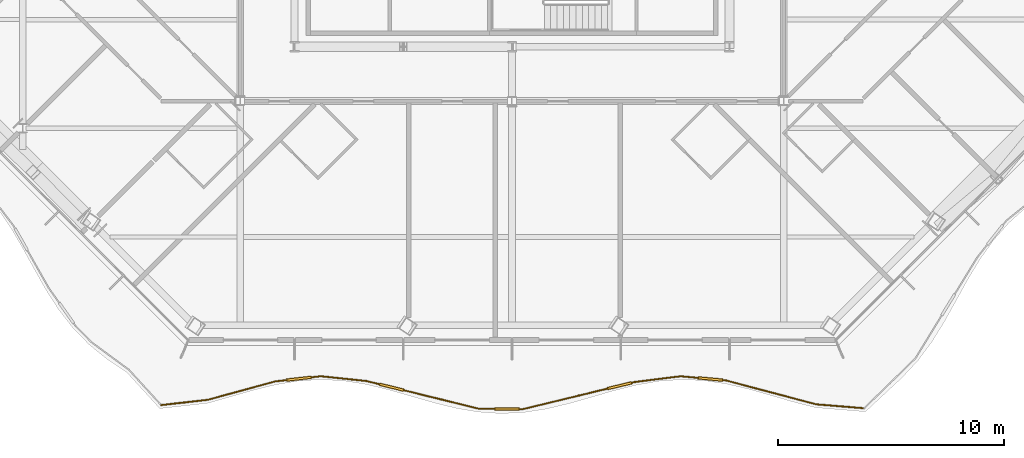
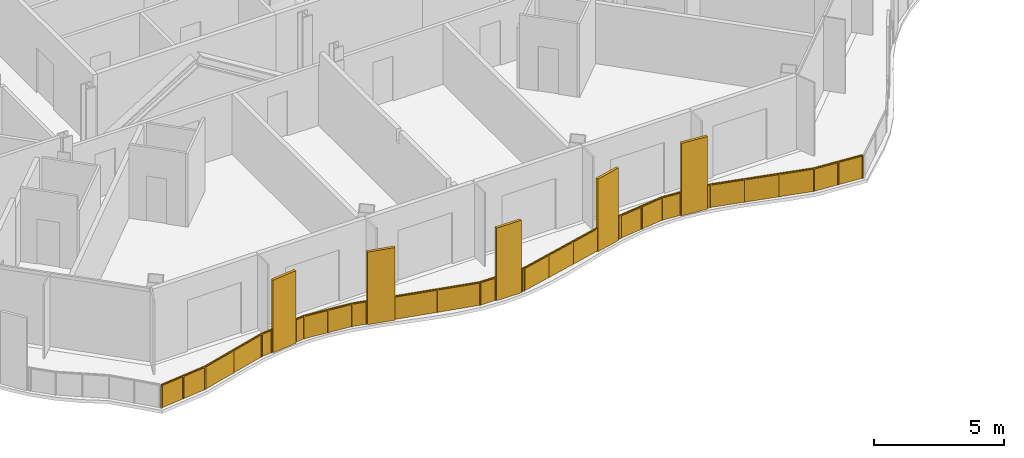
# One storey, part 16 of 21: 1 railing.
"""IFC4 building model written with IfcOpenShell, lengths in metres."""

from ifc_helpers import new_model, si_unit, direction, frame, origin, origin_2d, place, context, subcontext, project, spatial, polyline, rectangle, outline, extrude, material, type_object, element, save


model = new_model("IFC4")

# Units and contexts
model_context = context("Model", 3, precision=1e-05, world=origin(), true_north=direction((0.0, 1.0)))
body_context = subcontext(model_context, "Body", "Model", "MODEL_VIEW")
ifc_project = project(units=[si_unit("LENGTHUNIT", "METRE"), si_unit("AREAUNIT", "SQUARE_METRE"), si_unit("VOLUMEUNIT", "CUBIC_METRE"), si_unit("PLANEANGLEUNIT", "RADIAN"), si_unit("MASSUNIT", "GRAM", prefix="KILO")], contexts=[model_context])

# Site, building, storey
site_placement = place(None, origin())
site = spatial("IfcSite", under=ifc_project, at=site_placement, CompositionType="ELEMENT")
building_placement = place(site_placement, origin())
building = spatial("IfcBuilding", under=site, at=building_placement, Name="Cairn Pilgrim Tower", CompositionType="ELEMENT")
storey_placement = place(building_placement, frame((0.0, 0.0, 172.199951171875)))
storey = spatial("IfcBuildingStorey", under=building, at=storey_placement, Name="L43", CompositionType="ELEMENT", Elevation=172.199951171875)

# Railing
ifc_material = material(Name="Bronze anodised aluminium rail, posts and fin screens with laminated glass infill", Category="aluminium")
railing_type = type_object("IfcRailingType", Name="BALCONY GUARD WITH FIN SCREENS", PredefinedType="GUARDRAIL", material=ifc_material)
railing_placement = place(storey_placement, frame((-8.29248046875, -21.82275390625, 0.0)))
element("IfcRailing", 1, at=railing_placement, inside=storey, type_object=railing_type, Name="Balcony guard BGF-1 with fin screens", PredefinedType="GUARDRAIL", context=body_context, shape_type="SweptSolid", body=[
    extrude(rectangle(XDim=0.050048828125, YDim=0.050048828125, at=origin_2d()), frame((0.0, 0.0, 1.0751953125), z_axis=(0.993718700808, 0.111906852625, 0.0), x_axis=(-0.111906852625, 0.993718700808, 0.0)), (0.0, 0.0, 1.0), 2.0703125),
    extrude(rectangle(XDim=0.050048828125, YDim=0.050048828125, at=origin_2d()), frame((2.057373046875, 0.231689453125, 1.0751953125), z_axis=(0.964685333333, 0.263405025868, 0.0), x_axis=(-0.263405025868, 0.964685333333, 0.0)), (0.0, 0.0, 1.0), 3.08837890625),
    extrude(rectangle(XDim=1.10009765625, YDim=0.110107421875, at=origin_2d()), frame((6.086181640625, 1.1640625, 0.0), z_axis=(0.0, 0.0, 1.0), x_axis=(0.993637462678, 0.112625897394, 0.0)), (0.0, 0.0, 1.0), 3.39990234375),
    extrude(rectangle(XDim=0.050048828125, YDim=0.050048828125, at=origin_2d()), frame((5.03662109375, 1.045166015625, 1.0751953125), z_axis=(0.993637462678, 0.112625897394, 0.0), x_axis=(-0.112625897394, 0.993637462678, 0.0)), (0.0, 0.0, 1.0), 0.50634765625),
    extrude(rectangle(XDim=0.050048828125, YDim=0.050048828125, at=origin_2d()), frame((6.6328125, 1.22607421875, 1.0751953125), z_axis=(0.993637462678, 0.112625897394, 0.0), x_axis=(-0.112625897394, 0.993637462678, 0.0)), (0.0, 0.0, 1.0), 0.42041015625),
    extrude(rectangle(XDim=0.050048828125, YDim=0.050048828125, at=origin_2d()), frame((7.050537109375, 1.2734375, 1.0751953125), z_axis=(0.994552944942, -0.104232623051, 0.0), x_axis=(0.104232623051, 0.994552944942, 0.0)), (0.0, 0.0, 1.0), 2.023681640625),
    extrude(rectangle(XDim=1.10009765625, YDim=0.110107421875, at=origin_2d()), frame((10.178466796875, 0.78759765625, 0.0), z_axis=(0.0, 0.0, 1.0), x_axis=(0.970930323775, -0.239362291046, 0.0)), (0.0, 0.0, 1.0), 3.39990234375),
    extrude(rectangle(XDim=0.050048828125, YDim=0.050048828125, at=origin_2d()), frame((9.063232421875, 1.0625, 1.0751953125), z_axis=(0.970930323775, -0.239362291046, 0.0), x_axis=(0.239362291046, 0.970930323775, 0.0)), (0.0, 0.0, 1.0), 0.5986328125),
    extrude(rectangle(XDim=0.050048828125, YDim=0.050048828125, at=origin_2d()), frame((10.71240234375, 0.656005859375, 1.0751953125), z_axis=(0.970930323775, -0.239362291046, 0.0), x_axis=(0.239362291046, 0.970930323775, 0.0)), (0.0, 0.0, 1.0), 3.408447265625),
    extrude(rectangle(XDim=1.10009765625, YDim=0.110107421875, at=origin_2d()), frame((15.27197265625, -0.173583984375, 0.0), z_axis=(0.0, 0.0, 1.0), x_axis=(0.999940694665, -0.010890691091, 0.0)), (0.0, 0.0, 1.0), 3.39990234375),
    extrude(rectangle(XDim=0.050048828125, YDim=0.050048828125, at=origin_2d()), frame((14.021728515625, -0.159912109375, 1.0751953125), z_axis=(0.999940694665, -0.010890691091, 0.0), x_axis=(0.010890691091, 0.999940694665, 0.0)), (0.0, 0.0, 1.0), 0.7001953125),
    extrude(rectangle(XDim=0.050048828125, YDim=0.050048828125, at=origin_2d()), frame((15.82177734375, -0.179443359375, 1.0751953125), z_axis=(0.999940694665, -0.010890691091, 0.0), x_axis=(0.010890691091, 0.999940694665, 0.0)), (0.0, 0.0, 1.0), 0.150146484375),
    extrude(rectangle(XDim=1.10009765625, YDim=0.110107421875, at=origin_2d()), frame((20.2470703125, 0.8564453125, 0.0), z_axis=(0.0, 0.0, 1.0), x_axis=(0.971792276138, 0.235838444785, 0.0)), (0.0, 0.0, 1.0), 3.39990234375),
    extrude(rectangle(XDim=0.050048828125, YDim=0.050048828125, at=origin_2d()), frame((15.971923828125, -0.18115234375, 1.0751953125), z_axis=(0.971792276138, 0.235838444785, 0.0), x_axis=(-0.235838444785, 0.971792276138, 0.0)), (0.0, 0.0, 1.0), 3.849365234375),
    extrude(rectangle(XDim=0.050048828125, YDim=0.050048828125, at=origin_2d()), frame((20.78173828125, 0.986083984375, 1.0751953125), z_axis=(0.971792276138, 0.235838444785, 0.0), x_axis=(-0.235838444785, 0.971792276138, 0.0)), (0.0, 0.0, 1.0), 0.150146484375),
    extrude(rectangle(XDim=0.050048828125, YDim=0.050048828125, at=origin_2d()), frame((20.927490234375, 1.021484375, 1.0751953125), z_axis=(0.992316749148, 0.123723358186, 0.0), x_axis=(-0.123723358186, 0.992316749148, 0.0)), (0.0, 0.0, 1.0), 2.026611328125),
    extrude(rectangle(XDim=1.10009765625, YDim=0.110107421875, at=origin_2d()), frame((24.25634765625, 1.149658203125, 0.0), z_axis=(0.0, 0.0, 1.0), x_axis=(0.995698110314, -0.092656748906, 0.0)), (0.0, 0.0, 1.0), 3.39990234375),
    extrude(rectangle(XDim=0.050048828125, YDim=0.050048828125, at=origin_2d()), frame((22.9384765625, 1.272216796875, 1.0751953125), z_axis=(0.995698110314, -0.092656748906, 0.0), x_axis=(0.092656748906, 0.995698110314, 0.0)), (0.0, 0.0, 1.0), 0.7734375),
    extrude(rectangle(XDim=0.050048828125, YDim=0.050048828125, at=origin_2d()), frame((24.803955078125, 1.0986328125, 1.0751953125), z_axis=(0.995698110314, -0.092656748906, 0.0), x_axis=(0.092656748906, 0.995698110314, 0.0)), (0.0, 0.0, 1.0), 0.150146484375),
    extrude(rectangle(XDim=0.050048828125, YDim=0.050048828125, at=origin_2d()), frame((24.953369140625, 1.084716796875, 1.0751953125), z_axis=(0.966645970379, -0.256116317227, 0.0), x_axis=(0.256116317227, 0.966645970379, 0.0)), (0.0, 0.0, 1.0), 4.1083984375),
    extrude(rectangle(XDim=0.050048828125, YDim=0.050048828125, at=origin_2d()), frame((28.9248046875, 0.032470703125, 1.0751953125), z_axis=(0.996694769483, -0.081237531265, 0.0), x_axis=(0.081237531265, 0.996694769483, 0.0)), (0.0, 0.0, 1.0), 2.067626953125),
    extrude(rectangle(XDim=0.050048828125, YDim=0.050048828125, at=origin_2d()), origin(), (0.0, 0.0, 1.0), 1.050048828125),
    extrude(rectangle(XDim=0.050048828125, YDim=0.050048828125, at=origin_2d()), frame((1.02880859375, 0.11572265625, 0.0)), (0.0, 0.0, 1.0), 1.050048828125),
    extrude(rectangle(XDim=0.050048828125, YDim=0.050048828125, at=origin_2d()), frame((2.057373046875, 0.231689453125, 0.0)), (0.0, 0.0, 1.0), 1.050048828125),
    extrude(rectangle(XDim=0.050048828125, YDim=0.050048828125, at=origin_2d()), frame((3.546875, 0.638427734375, 0.0)), (0.0, 0.0, 1.0), 1.050048828125),
    extrude(rectangle(XDim=0.050048828125, YDim=0.050048828125, at=origin_2d()), frame((5.03662109375, 1.045166015625, 0.0)), (0.0, 0.0, 1.0), 1.050048828125),
    extrude(rectangle(XDim=0.050048828125, YDim=0.050048828125, at=origin_2d()), frame((5.514892578125, 1.099365234375, 0.0)), (0.0, 0.0, 1.0), 1.050048828125),
    extrude(rectangle(XDim=0.050048828125, YDim=0.050048828125, at=origin_2d()), frame((6.657470703125, 1.22900390625, 0.0)), (0.0, 0.0, 1.0), 1.050048828125),
    extrude(rectangle(XDim=0.050048828125, YDim=0.050048828125, at=origin_2d()), frame((7.050537109375, 1.2734375, 0.0)), (0.0, 0.0, 1.0), 1.050048828125),
    extrude(rectangle(XDim=0.050048828125, YDim=0.050048828125, at=origin_2d()), frame((8.056884765625, 1.16796875, 0.0)), (0.0, 0.0, 1.0), 1.050048828125),
    extrude(rectangle(XDim=0.050048828125, YDim=0.050048828125, at=origin_2d()), frame((9.063232421875, 1.0625, 0.0)), (0.0, 0.0, 1.0), 1.050048828125),
    extrude(rectangle(XDim=0.050048828125, YDim=0.050048828125, at=origin_2d()), frame((9.6201171875, 0.92529296875, 0.0)), (0.0, 0.0, 1.0), 1.050048828125),
    extrude(rectangle(XDim=0.050048828125, YDim=0.050048828125, at=origin_2d()), frame((10.73681640625, 0.64990234375, 0.0)), (0.0, 0.0, 1.0), 1.050048828125),
    extrude(rectangle(XDim=0.050048828125, YDim=0.050048828125, at=origin_2d()), frame((12.379150390625, 0.2451171875, 0.0)), (0.0, 0.0, 1.0), 1.050048828125),
    extrude(rectangle(XDim=0.050048828125, YDim=0.050048828125, at=origin_2d()), frame((14.021728515625, -0.159912109375, 0.0)), (0.0, 0.0, 1.0), 1.050048828125),
    extrude(rectangle(XDim=0.050048828125, YDim=0.050048828125, at=origin_2d()), frame((14.69677734375, -0.167236328125, 0.0)), (0.0, 0.0, 1.0), 1.050048828125),
    extrude(rectangle(XDim=0.050048828125, YDim=0.050048828125, at=origin_2d()), frame((15.846923828125, -0.1796875, 0.0)), (0.0, 0.0, 1.0), 1.050048828125),
    extrude(rectangle(XDim=0.050048828125, YDim=0.050048828125, at=origin_2d()), frame((15.971923828125, -0.18115234375, 0.0)), (0.0, 0.0, 1.0), 1.050048828125),
    extrude(rectangle(XDim=0.050048828125, YDim=0.050048828125, at=origin_2d()), frame((17.210693359375, 0.119384765625, 0.0)), (0.0, 0.0, 1.0), 1.050048828125),
    extrude(rectangle(XDim=0.050048828125, YDim=0.050048828125, at=origin_2d()), frame((18.449462890625, 0.420166015625, 0.0)), (0.0, 0.0, 1.0), 1.050048828125),
    extrude(rectangle(XDim=0.050048828125, YDim=0.050048828125, at=origin_2d()), frame((19.688232421875, 0.720703125, 0.0)), (0.0, 0.0, 1.0), 1.050048828125),
    extrude(rectangle(XDim=0.050048828125, YDim=0.050048828125, at=origin_2d()), frame((20.805908203125, 0.991943359375, 0.0)), (0.0, 0.0, 1.0), 1.050048828125),
    extrude(rectangle(XDim=0.050048828125, YDim=0.050048828125, at=origin_2d()), frame((20.927490234375, 1.021484375, 0.0)), (0.0, 0.0, 1.0), 1.050048828125),
    extrude(rectangle(XDim=0.050048828125, YDim=0.050048828125, at=origin_2d()), frame((21.93310546875, 1.14697265625, 0.0)), (0.0, 0.0, 1.0), 1.050048828125),
    extrude(rectangle(XDim=0.050048828125, YDim=0.050048828125, at=origin_2d()), frame((22.9384765625, 1.272216796875, 0.0)), (0.0, 0.0, 1.0), 1.050048828125),
    extrude(rectangle(XDim=0.050048828125, YDim=0.050048828125, at=origin_2d()), frame((23.68359375, 1.202880859375, 0.0)), (0.0, 0.0, 1.0), 1.050048828125),
    extrude(rectangle(XDim=0.050048828125, YDim=0.050048828125, at=origin_2d()), frame((24.828857421875, 1.09619140625, 0.0)), (0.0, 0.0, 1.0), 1.050048828125),
    extrude(rectangle(XDim=0.050048828125, YDim=0.050048828125, at=origin_2d()), frame((24.953369140625, 1.084716796875, 0.0)), (0.0, 0.0, 1.0), 1.050048828125),
    extrude(rectangle(XDim=0.050048828125, YDim=0.050048828125, at=origin_2d()), frame((26.277099609375, 0.73388671875, 0.0)), (0.0, 0.0, 1.0), 1.050048828125),
    extrude(rectangle(XDim=0.050048828125, YDim=0.050048828125, at=origin_2d()), frame((27.60107421875, 0.38330078125, 0.0)), (0.0, 0.0, 1.0), 1.050048828125),
    extrude(rectangle(XDim=0.050048828125, YDim=0.050048828125, at=origin_2d()), frame((28.9248046875, 0.032470703125, 0.0)), (0.0, 0.0, 1.0), 1.050048828125),
    extrude(rectangle(XDim=0.050048828125, YDim=0.050048828125, at=origin_2d()), frame((29.955078125, -0.051513671875, 0.0)), (0.0, 0.0, 1.0), 1.050048828125),
    extrude(rectangle(XDim=0.050048828125, YDim=0.050048828125, at=origin_2d()), frame((30.985595703125, -0.135498046875, 0.0)), (0.0, 0.0, 1.0), 1.050048828125),
    extrude(outline(polyline([(0.02490234375, 0.0), (1.01025390625, 0.0), (1.01025390625, 1.050048828125), (0.02490234375, 1.050048828125), (0.02490234375, 0.0)])), frame((-0.000732421875, 0.005859375, 0.0), z_axis=(0.111906852625, -0.993718700808, 0.0), x_axis=(0.993718700808, 0.111906852625, 0.0)), (0.0, 0.0, 1.0), 0.011962890625),
    extrude(outline(polyline([(0.02490234375, 0.0), (1.01025390625, 0.0), (1.01025390625, 1.050048828125), (0.02490234375, 1.050048828125), (0.02490234375, 0.0)])), frame((1.028076171875, 0.121826171875, 0.0), z_axis=(0.111906852625, -0.993718700808, 0.0), x_axis=(0.993718700808, 0.111906852625, 0.0)), (0.0, 0.0, 1.0), 0.011962890625),
    extrude(outline(polyline([(0.02490234375, 0.0), (1.51904296875, 0.0), (1.51904296875, 1.050048828125), (0.02490234375, 1.050048828125), (0.02490234375, 0.0)])), frame((2.055908203125, 0.237548828125, 0.0), z_axis=(0.263405025868, -0.964685333333, 0.0), x_axis=(0.964685333333, 0.263405025868, 0.0)), (0.0, 0.0, 1.0), 0.011962890625),
    extrude(outline(polyline([(0.02490234375, 0.0), (1.51904296875, 0.0), (1.51904296875, 1.050048828125), (0.02490234375, 1.050048828125), (0.02490234375, 0.0)])), frame((3.54541015625, 0.644287109375, 0.0), z_axis=(0.263405025868, -0.964685333333, 0.0), x_axis=(0.964685333333, 0.263405025868, 0.0)), (0.0, 0.0, 1.0), 0.011962890625),
    extrude(outline(polyline([(0.02490234375, 0.0), (0.456298828125, 0.0), (0.456298828125, 1.050048828125), (0.02490234375, 1.050048828125), (0.02490234375, 0.0)])), frame((5.035888671875, 1.051025390625, 0.0), z_axis=(0.112625897394, -0.993637462678, 0.0), x_axis=(0.993637462678, 0.112625897394, 0.0)), (0.0, 0.0, 1.0), 0.011962890625),
    extrude(outline(polyline([(0.02490234375, 0.0), (0.370361328125, 0.0), (0.370361328125, 1.050048828125), (0.02490234375, 1.050048828125), (0.02490234375, 0.0)])), frame((6.656982421875, 1.23486328125, 0.0), z_axis=(0.112625897394, -0.993637462678, 0.0), x_axis=(0.993637462678, 0.112625897394, 0.0)), (0.0, 0.0, 1.0), 0.011962890625),
    extrude(outline(polyline([(0.02490234375, 0.0), (0.98681640625, 0.0), (0.98681640625, 1.050048828125), (0.02490234375, 1.050048828125), (0.02490234375, 0.0)])), frame((7.05126953125, 1.279296875, 0.0), z_axis=(-0.104232623051, -0.994552944942, 0.0), x_axis=(0.994552944942, -0.104232623051, 0.0)), (0.0, 0.0, 1.0), 0.011962890625),
    extrude(outline(polyline([(0.02490234375, 0.0), (0.98681640625, 0.0), (0.98681640625, 1.050048828125), (0.02490234375, 1.050048828125), (0.02490234375, 0.0)])), frame((8.0576171875, 1.173828125, 0.0), z_axis=(-0.104232623051, -0.994552944942, 0.0), x_axis=(0.994552944942, -0.104232623051, 0.0)), (0.0, 0.0, 1.0), 0.011962890625),
    extrude(outline(polyline([(0.02490234375, 0.0), (0.548583984375, 0.0), (0.548583984375, 1.050048828125), (0.02490234375, 1.050048828125), (0.02490234375, 0.0)])), frame((9.064697265625, 1.068359375, 0.0), z_axis=(-0.239362291046, -0.970930323775, 0.0), x_axis=(0.970930323775, -0.239362291046, 0.0)), (0.0, 0.0, 1.0), 0.011962890625),
    extrude(outline(polyline([(0.02490234375, 0.0), (1.666748046875, 0.0), (1.666748046875, 1.050048828125), (0.02490234375, 1.050048828125), (0.02490234375, 0.0)])), frame((10.73828125, 0.65576171875, 0.0), z_axis=(-0.239362291046, -0.970930323775, 0.0), x_axis=(0.970930323775, -0.239362291046, 0.0)), (0.0, 0.0, 1.0), 0.011962890625),
    extrude(outline(polyline([(0.02490234375, 0.0), (1.666748046875, 0.0), (1.666748046875, 1.050048828125), (0.02490234375, 1.050048828125), (0.02490234375, 0.0)])), frame((12.380615234375, 0.250732421875, 0.0), z_axis=(-0.239362291046, -0.970930323775, 0.0), x_axis=(0.970930323775, -0.239362291046, 0.0)), (0.0, 0.0, 1.0), 0.011962890625),
    extrude(outline(polyline([(0.02490234375, 0.0), (0.650146484375, 0.0), (0.650146484375, 1.050048828125), (0.02490234375, 1.050048828125), (0.02490234375, 0.0)])), frame((14.021728515625, -0.154052734375, 0.0), z_axis=(-0.010890691091, -0.999940694665, 0.0), x_axis=(0.999940694665, -0.010890691091, 0.0)), (0.0, 0.0, 1.0), 0.011962890625),
    extrude(outline(polyline([(0.02490234375, 0.0), (0.10009765625, 0.0), (0.10009765625, 1.050048828125), (0.02490234375, 1.050048828125), (0.02490234375, 0.0)])), frame((15.846923828125, -0.173828125, 0.0), z_axis=(-0.010890691091, -0.999940694665, 0.0), x_axis=(0.999940694665, -0.010890691091, 0.0)), (0.0, 0.0, 1.0), 0.011962890625),
    extrude(outline(polyline([(0.02490234375, 0.0), (1.249755859375, 0.0), (1.249755859375, 1.050048828125), (0.02490234375, 1.050048828125), (0.02490234375, 0.0)])), frame((15.970458984375, -0.17529296875, 0.0), z_axis=(0.235838444785, -0.971792276138, 0.0), x_axis=(0.971792276138, 0.235838444785, 0.0)), (0.0, 0.0, 1.0), 0.011962890625),
    extrude(outline(polyline([(0.02490234375, 0.0), (1.249755859375, 0.0), (1.249755859375, 1.050048828125), (0.02490234375, 1.050048828125), (0.02490234375, 0.0)])), frame((17.209228515625, 0.125244140625, 0.0), z_axis=(0.235838444785, -0.971792276138, 0.0), x_axis=(0.971792276138, 0.235838444785, 0.0)), (0.0, 0.0, 1.0), 0.011962890625),
    extrude(outline(polyline([(0.02490234375, 0.0), (1.249755859375, 0.0), (1.249755859375, 1.050048828125), (0.02490234375, 1.050048828125), (0.02490234375, 0.0)])), frame((18.4482421875, 0.426025390625, 0.0), z_axis=(0.235838444785, -0.971792276138, 0.0), x_axis=(0.971792276138, 0.235838444785, 0.0)), (0.0, 0.0, 1.0), 0.011962890625),
    extrude(outline(polyline([(0.02490234375, 0.0), (0.10009765625, 0.0), (0.10009765625, 1.050048828125), (0.02490234375, 1.050048828125), (0.02490234375, 0.0)])), frame((20.804443359375, 0.997802734375, 0.0), z_axis=(0.235838444785, -0.971792276138, 0.0), x_axis=(0.971792276138, 0.235838444785, 0.0)), (0.0, 0.0, 1.0), 0.011962890625),
    extrude(outline(polyline([(0.02490234375, 0.0), (0.98828125, 0.0), (0.98828125, 1.050048828125), (0.02490234375, 1.050048828125), (0.02490234375, 0.0)])), frame((20.9267578125, 1.02734375, 0.0), z_axis=(0.123723358186, -0.992316749148, 0.0), x_axis=(0.992316749148, 0.123723358186, 0.0)), (0.0, 0.0, 1.0), 0.011962890625),
    extrude(outline(polyline([(0.02490234375, 0.0), (0.98828125, 0.0), (0.98828125, 1.050048828125), (0.02490234375, 1.050048828125), (0.02490234375, 0.0)])), frame((21.93212890625, 1.15283203125, 0.0), z_axis=(0.123723358186, -0.992316749148, 0.0), x_axis=(0.992316749148, 0.123723358186, 0.0)), (0.0, 0.0, 1.0), 0.011962890625),
    extrude(outline(polyline([(0.02490234375, 0.0), (0.723388671875, 0.0), (0.723388671875, 1.050048828125), (0.02490234375, 1.050048828125), (0.02490234375, 0.0)])), frame((22.93896484375, 1.278076171875, 0.0), z_axis=(-0.092656748906, -0.995698110314, 0.0), x_axis=(0.995698110314, -0.092656748906, 0.0)), (0.0, 0.0, 1.0), 0.011962890625),
    extrude(outline(polyline([(0.02490234375, 0.0), (0.10009765625, 0.0), (0.10009765625, 1.050048828125), (0.02490234375, 1.050048828125), (0.02490234375, 0.0)])), frame((24.829345703125, 1.102294921875, 0.0), z_axis=(-0.092656748906, -0.995698110314, 0.0), x_axis=(0.995698110314, -0.092656748906, 0.0)), (0.0, 0.0, 1.0), 0.011962890625),
    extrude(outline(polyline([(0.02490234375, 0.0), (1.344482421875, 0.0), (1.344482421875, 1.050048828125), (0.02490234375, 1.050048828125), (0.02490234375, 0.0)])), frame((24.954833984375, 1.090576171875, 0.0), z_axis=(-0.256116317227, -0.966645970379, 0.0), x_axis=(0.966645970379, -0.256116317227, 0.0)), (0.0, 0.0, 1.0), 0.011962890625),
    extrude(outline(polyline([(0.02490234375, 0.0), (1.344482421875, 0.0), (1.344482421875, 1.050048828125), (0.02490234375, 1.050048828125), (0.02490234375, 0.0)])), frame((26.27880859375, 0.73974609375, 0.0), z_axis=(-0.256116317227, -0.966645970379, 0.0), x_axis=(0.966645970379, -0.256116317227, 0.0)), (0.0, 0.0, 1.0), 0.011962890625),
    extrude(outline(polyline([(0.02490234375, 0.0), (1.344482421875, 0.0), (1.344482421875, 1.050048828125), (0.02490234375, 1.050048828125), (0.02490234375, 0.0)])), frame((27.6025390625, 0.388916015625, 0.0), z_axis=(-0.256116317227, -0.966645970379, 0.0), x_axis=(0.966645970379, -0.256116317227, 0.0)), (0.0, 0.0, 1.0), 0.011962890625),
    extrude(outline(polyline([(0.02490234375, 0.0), (1.0087890625, 0.0), (1.0087890625, 1.050048828125), (0.02490234375, 1.050048828125), (0.02490234375, 0.0)])), frame((28.92529296875, 0.038330078125, 0.0), z_axis=(-0.081237531265, -0.996694769483, 0.0), x_axis=(0.996694769483, -0.081237531265, 0.0)), (0.0, 0.0, 1.0), 0.011962890625),
    extrude(outline(polyline([(0.02490234375, 0.0), (1.0087890625, 0.0), (1.0087890625, 1.050048828125), (0.02490234375, 1.050048828125), (0.02490234375, 0.0)])), frame((29.95556640625, -0.045654296875, 0.0), z_axis=(-0.081237531265, -0.996694769483, 0.0), x_axis=(0.996694769483, -0.081237531265, 0.0)), (0.0, 0.0, 1.0), 0.011962890625),
])

save(model, "model.ifc")
